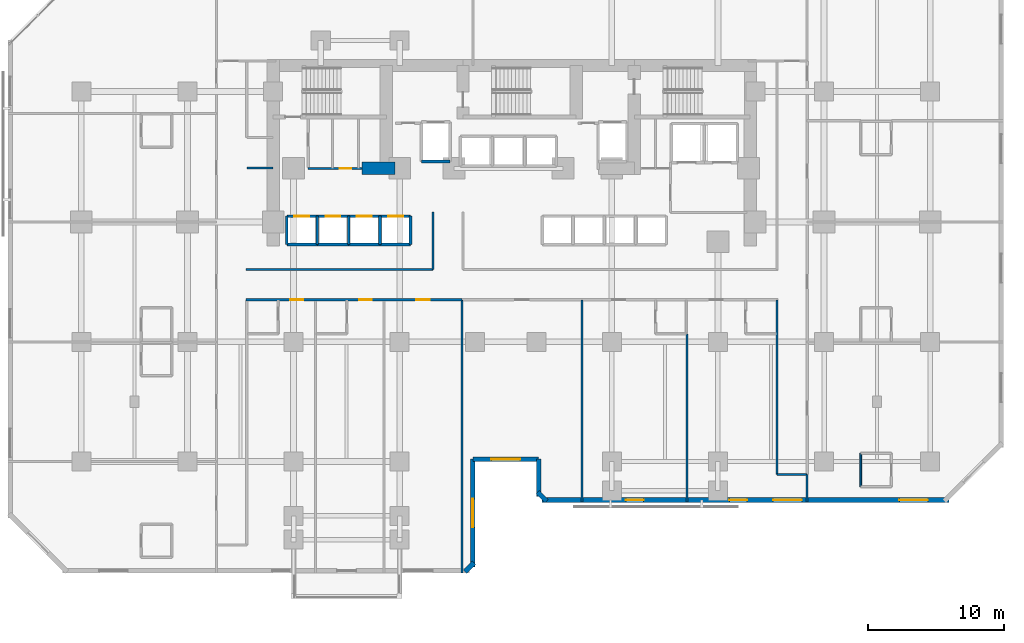
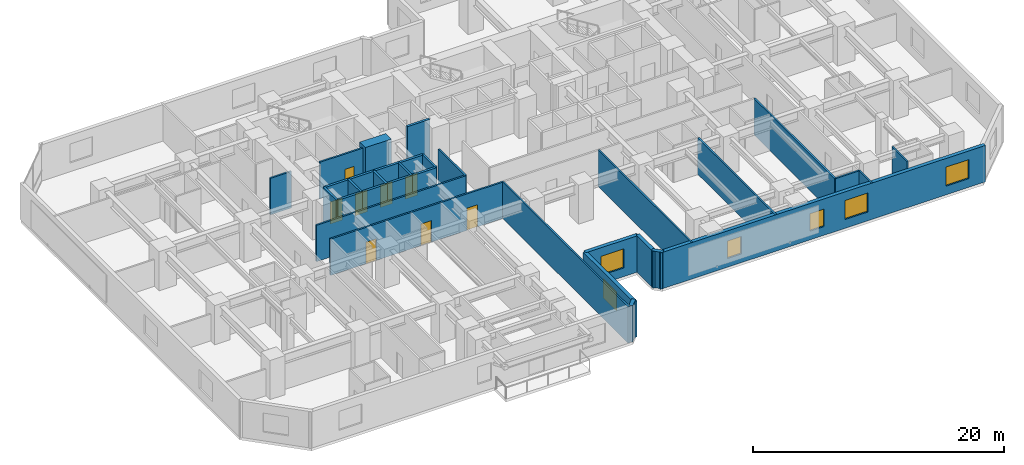
# One storey, part 6 of 12: 33 walls, 8 doors, 6 windows, 14 openings.
"""IFC4 building model written with IfcOpenShell, lengths in metres."""

from ifc_helpers import new_model, si_unit, direction, frame, frame_2d, origin, place, context, subcontext, project, spatial, rectangle, extrude, material, layer, layer_set, type_object, element, fill, save


model = new_model("IFC4")

# Units and contexts
model_context = context("Model", 3, precision=1e-05, world=origin(), true_north=direction((0.0, 1.0)))
body_context = subcontext(model_context, "Body", "Model", "MODEL_VIEW")
ifc_project = project(units=[si_unit("LENGTHUNIT", "METRE"), si_unit("AREAUNIT", "SQUARE_METRE"), si_unit("VOLUMEUNIT", "CUBIC_METRE"), si_unit("PLANEANGLEUNIT", "RADIAN"), si_unit("MASSUNIT", "GRAM", prefix="KILO")], contexts=[model_context])

# Site, building, storey
site_placement = place(None, origin())
site = spatial("IfcSite", under=ifc_project, at=site_placement, CompositionType="ELEMENT")
building_placement = place(site_placement, origin())
building = spatial("IfcBuilding", under=site, at=building_placement, Name="Kestravale Grand Hotel", CompositionType="ELEMENT")
storey_placement = place(building_placement, frame((0.0, 0.0, 56.39990234375)))
storey = spatial("IfcBuildingStorey", under=building, at=storey_placement, Name="L13", CompositionType="ELEMENT", Elevation=56.39990234375)

# Walls
ifc_material_1 = material(Name="Concrete f'c 70 MPa", Category="concrete")
ifc_layer_1 = layer(ifc_material_1, 0.89990234375)
ifc_layer_set_1 = layer_set([ifc_layer_1], Name="EW-CORE-900")
wall_type_1 = type_object("IfcWallType", Name="EW-CORE-900", PredefinedType="SHEAR", material=ifc_layer_set_1)
wall_1_placement = place(storey_placement, frame((28.449951171875, 32.75, 0.0), z_axis=(0.0, 0.0, 1.0), x_axis=(1.0, 0.0, 0.0)))
element("IfcWall", 1, at=wall_1_placement, inside=storey, type_object=wall_type_1, Name="L13 core shear wall S1", PredefinedType="SHEAR", context=body_context, shape_type="SweptSolid", body=[
    extrude(rectangle(XDim=2.400146484375, YDim=0.89990234375, at=frame_2d((1.2001953125, 0.0))), origin(), (0.0, 0.0, 1.0), 3.800048828125),
])
ifc_material_2 = material(Name="Precast concrete f'c 45 MPa", Category="concrete")
ifc_layer_2 = layer(ifc_material_2, 0.340087890625)
ifc_layer_set_2 = layer_set([ifc_layer_2], Name="EW-PREC-340")
wall_type_2 = type_object("IfcWallType", Name="EW-PREC-340", PredefinedType="SOLIDWALL", material=ifc_layer_set_2)
wall_2_placement = place(storey_placement, frame((36.00146484375, 3.091796875, 0.0), z_axis=(0.0, 0.0, 1.0), x_axis=(0.707106781187, 0.707106781187, 0.0)))
element("IfcWall", 2, at=wall_2_placement, inside=storey, type_object=wall_type_2, Name="L13 fluted precast facade wall 2", PredefinedType="SOLIDWALL", context=body_context, shape_type="SweptSolid", body=[
    extrude(rectangle(XDim=0.9287109375, YDim=0.340087890625, at=frame_2d((0.46435546875, 0.0))), origin(), (0.0, 0.0, 1.0), 3.5400390625),
])

# Wall, opening, window
wall_3_placement = place(storey_placement, frame((36.580078125, 3.429931640625, 0.0), z_axis=(0.0, 0.0, 1.0), x_axis=(0.0, 1.0, 0.0)))
wall_3 = element("IfcWall", 3, at=wall_3_placement, inside=storey, type_object=wall_type_2, Name="L13 fluted precast facade wall 3", PredefinedType="SOLIDWALL", context=body_context, shape_type="SweptSolid", body=[
    extrude(rectangle(XDim=7.940185546875, YDim=0.340087890625, at=frame_2d((3.97021484375, 0.0))), origin(), (0.0, 0.0, 1.0), 3.5400390625),
])
opening_1_placement = place(wall_3_placement, frame((2.919921875, 0.0, 0.85009765625)))
opening_1 = element("IfcOpeningElement", 4, at=opening_1_placement, cuts=wall_3, Name="Opening W-GUEST-2100", PredefinedType="OPENING", context=body_context, shape_type="SweptSolid", body=[
    extrude(rectangle(XDim=2.10009765625, YDim=1.85009765625, at=frame_2d((1.050048828125, 0.925048828125))), frame((0.0, 0.179931640625, 0.0), z_axis=(0.0, -1.0, 0.0), x_axis=(1.0, 0.0, 0.0)), (0.0, 0.0, 1.0), 0.360107421875),
])
ifc_material_3 = material(Name="Insulated low-E double glazing in aluminium frame", Category="aluminium")
window_type_1 = type_object("IfcWindowType", Name="W-GUEST-2100", PartitioningType="DOUBLE_PANEL_VERTICAL", PredefinedType="WINDOW", material=ifc_material_3)
window_1_placement = place(opening_1_placement, origin())
window_1 = element("IfcWindow", 5, at=window_1_placement, inside=storey, type_object=window_type_1, Name="L13 exterior window 3.1", OverallHeight=1.85009765625, OverallWidth=2.10009765625, PartitioningType="SINGLE_PANEL", PredefinedType="WINDOW", context=body_context, shape_type="SweptSolid", body=[
    extrude(rectangle(XDim=2.10009765625, YDim=1.85009765625, at=frame_2d((1.050048828125, 0.925048828125))), frame((0.0, 0.030029296875, 0.0), z_axis=(0.0, -1.0, 0.0), x_axis=(1.0, 0.0, 0.0)), (0.0, 0.0, 1.0), 0.06005859375),
])
fill(opening_1, window_1)

wall_4_placement = place(storey_placement, frame((36.580078125, 11.3701171875, 0.0), z_axis=(0.0, 0.0, 1.0), x_axis=(1.0, 0.0, 0.0)))
wall_4 = element("IfcWall", 6, at=wall_4_placement, inside=storey, type_object=wall_type_2, Name="L13 fluted precast facade wall 4", PredefinedType="SOLIDWALL", context=body_context, shape_type="SweptSolid", body=[
    extrude(rectangle(XDim=4.83984375, YDim=0.340087890625, at=frame_2d((2.419921875, 0.0))), origin(), (0.0, 0.0, 1.0), 3.5400390625),
])
opening_2_placement = place(wall_4_placement, frame((1.3701171875, 0.0, 0.85009765625)))
opening_2 = element("IfcOpeningElement", 7, at=opening_2_placement, cuts=wall_4, Name="Opening W-GUEST-2100", PredefinedType="OPENING", context=body_context, shape_type="SweptSolid", body=[
    extrude(rectangle(XDim=2.10009765625, YDim=1.85009765625, at=frame_2d((1.050048828125, 0.925048828125))), frame((0.0, 0.179931640625, 0.0), z_axis=(0.0, -1.0, 0.0), x_axis=(1.0, 0.0, 0.0)), (0.0, 0.0, 1.0), 0.360107421875),
])
window_2_placement = place(opening_2_placement, origin())
window_2 = element("IfcWindow", 8, at=window_2_placement, inside=storey, type_object=window_type_1, Name="L13 exterior window 4.1", OverallHeight=1.85009765625, OverallWidth=2.10009765625, PartitioningType="SINGLE_PANEL", PredefinedType="WINDOW", context=body_context, shape_type="SweptSolid", body=[
    extrude(rectangle(XDim=2.10009765625, YDim=1.85009765625, at=frame_2d((1.050048828125, 0.925048828125))), frame((0.0, 0.030029296875, 0.0), z_axis=(0.0, -1.0, 0.0), x_axis=(1.0, 0.0, 0.0)), (0.0, 0.0, 1.0), 0.06005859375),
])
fill(opening_2, window_2)

# Walls
wall_5_placement = place(storey_placement, frame((41.419921875, 11.3701171875, 0.0), z_axis=(0.0, 0.0, 1.0), x_axis=(0.0, -1.0, 0.0)))
element("IfcWall", 9, at=wall_5_placement, inside=storey, type_object=wall_type_2, Name="L13 fluted precast facade wall 5", PredefinedType="SOLIDWALL", context=body_context, shape_type="SweptSolid", body=[
    extrude(rectangle(XDim=2.740234375, YDim=0.340087890625, at=frame_2d((1.3701171875, 0.0))), origin(), (0.0, 0.0, 1.0), 3.5400390625),
])
wall_6_placement = place(storey_placement, frame((41.341796875, 8.948486328125, 0.0), z_axis=(0.0, 0.0, 1.0), x_axis=(0.707238225886, -0.706975312048, 0.0)))
element("IfcWall", 10, at=wall_6_placement, inside=storey, type_object=wall_type_2, Name="L13 fluted precast facade wall 6", PredefinedType="SOLIDWALL", context=body_context, shape_type="SweptSolid", body=[
    extrude(rectangle(XDim=0.9287109375, YDim=0.340087890625, at=frame_2d((0.46435546875, 0.0))), origin(), (0.0, 0.0, 1.0), 3.5400390625),
])

# Wall, openings, windows
wall_7_placement = place(storey_placement, frame((41.679931640625, 8.3701171875, 0.0), z_axis=(0.0, 0.0, 1.0), x_axis=(1.0, 0.0, 0.0)))
wall_7 = element("IfcWall", 11, at=wall_7_placement, inside=storey, type_object=wall_type_2, Name="L13 fluted precast facade wall 7", PredefinedType="SOLIDWALL", context=body_context, shape_type="SweptSolid", body=[
    extrude(rectangle(XDim=29.89013671875, YDim=0.340087890625, at=frame_2d((14.945068359375, 0.0))), origin(), (0.0, 0.0, 1.0), 3.5400390625),
])
opening_3_placement = place(wall_7_placement, frame((16.981201171875, 0.0, 0.85009765625)))
opening_3 = element("IfcOpeningElement", 12, at=opening_3_placement, cuts=wall_7, Name="Opening W-GUEST-2100", PredefinedType="OPENING", context=body_context, shape_type="SweptSolid", body=[
    extrude(rectangle(XDim=2.10009765625, YDim=1.85009765625, at=frame_2d((1.050048828125, 0.925048828125))), frame((0.0, 0.179931640625, 0.0), z_axis=(0.0, -1.0, 0.0), x_axis=(1.0, 0.0, 0.0)), (0.0, 0.0, 1.0), 0.360107421875),
])
opening_4_placement = place(wall_7_placement, frame((26.253662109375, 0.0, 0.85009765625)))
opening_4 = element("IfcOpeningElement", 13, at=opening_4_placement, cuts=wall_7, Name="Opening W-GUEST-2100", PredefinedType="OPENING", context=body_context, shape_type="SweptSolid", body=[
    extrude(rectangle(XDim=2.10009765625, YDim=1.85009765625, at=frame_2d((1.050048828125, 0.925048828125))), frame((0.0, 0.179931640625, 0.0), z_axis=(0.0, -1.0, 0.0), x_axis=(1.0, 0.0, 0.0)), (0.0, 0.0, 1.0), 0.360107421875),
])
opening_5_placement = place(wall_7_placement, frame((6.14990234375, 0.0, 0.85009765625)))
opening_5 = element("IfcOpeningElement", 14, at=opening_5_placement, cuts=wall_7, Name="Opening W-GUEST-1300", PredefinedType="OPENING", context=body_context, shape_type="SweptSolid", body=[
    extrude(rectangle(XDim=1.300048828125, YDim=1.699951171875, at=frame_2d((0.64990234375, 0.85009765625))), frame((0.0, 0.179931640625, 0.0), z_axis=(0.0, -1.0, 0.0), x_axis=(1.0, 0.0, 0.0)), (0.0, 0.0, 1.0), 0.360107421875),
])
opening_6_placement = place(wall_7_placement, frame((13.76318359375, 0.0, 0.85009765625)))
opening_6 = element("IfcOpeningElement", 15, at=opening_6_placement, cuts=wall_7, Name="Opening W-GUEST-1300", PredefinedType="OPENING", context=body_context, shape_type="SweptSolid", body=[
    extrude(rectangle(XDim=1.300048828125, YDim=1.699951171875, at=frame_2d((0.64990234375, 0.85009765625))), frame((0.0, 0.179931640625, 0.0), z_axis=(0.0, -1.0, 0.0), x_axis=(1.0, 0.0, 0.0)), (0.0, 0.0, 1.0), 0.360107421875),
])
ifc_material_4 = material(Name="Insulated low-E double glazing in aluminium frame", Category="aluminium")
window_type_2 = type_object("IfcWindowType", Name="W-GUEST-1300", PartitioningType="SINGLE_PANEL", PredefinedType="WINDOW", material=ifc_material_4)
window_3_placement = place(opening_5_placement, origin())
window_3 = element("IfcWindow", 16, at=window_3_placement, inside=storey, type_object=window_type_2, Name="L13 guestroom envelope window 2", OverallHeight=1.699951171875, OverallWidth=1.300048828125, PartitioningType="SINGLE_PANEL", PredefinedType="WINDOW", context=body_context, shape_type="SweptSolid", body=[
    extrude(rectangle(XDim=1.300048828125, YDim=1.699951171875, at=frame_2d((0.64990234375, 0.85009765625))), frame((0.0, 0.030029296875, 0.0), z_axis=(0.0, -1.0, 0.0), x_axis=(1.0, 0.0, 0.0)), (0.0, 0.0, 1.0), 0.06005859375),
])
fill(opening_5, window_3)
window_4_placement = place(opening_6_placement, origin())
window_4 = element("IfcWindow", 17, at=window_4_placement, inside=storey, type_object=window_type_2, Name="L13 guestroom envelope window 3", OverallHeight=1.699951171875, OverallWidth=1.300048828125, PartitioningType="SINGLE_PANEL", PredefinedType="WINDOW", context=body_context, shape_type="SweptSolid", body=[
    extrude(rectangle(XDim=1.300048828125, YDim=1.699951171875, at=frame_2d((0.64990234375, 0.85009765625))), frame((0.0, 0.030029296875, 0.0), z_axis=(0.0, -1.0, 0.0), x_axis=(1.0, 0.0, 0.0)), (0.0, 0.0, 1.0), 0.06005859375),
])
fill(opening_6, window_4)
window_5_placement = place(opening_3_placement, origin())
window_5 = element("IfcWindow", 18, at=window_5_placement, inside=storey, type_object=window_type_1, Name="L13 exterior window 7.1", OverallHeight=1.85009765625, OverallWidth=2.10009765625, PartitioningType="SINGLE_PANEL", PredefinedType="WINDOW", context=body_context, shape_type="SweptSolid", body=[
    extrude(rectangle(XDim=2.10009765625, YDim=1.85009765625, at=frame_2d((1.050048828125, 0.925048828125))), frame((0.0, 0.030029296875, 0.0), z_axis=(0.0, -1.0, 0.0), x_axis=(1.0, 0.0, 0.0)), (0.0, 0.0, 1.0), 0.06005859375),
])
fill(opening_3, window_5)
window_6_placement = place(opening_4_placement, origin())
window_6 = element("IfcWindow", 19, at=window_6_placement, inside=storey, type_object=window_type_1, Name="L13 exterior window 7.2", OverallHeight=1.85009765625, OverallWidth=2.10009765625, PartitioningType="SINGLE_PANEL", PredefinedType="WINDOW", context=body_context, shape_type="SweptSolid", body=[
    extrude(rectangle(XDim=2.10009765625, YDim=1.85009765625, at=frame_2d((1.050048828125, 0.925048828125))), frame((0.0, 0.030029296875, 0.0), z_axis=(0.0, -1.0, 0.0), x_axis=(1.0, 0.0, 0.0)), (0.0, 0.0, 1.0), 0.06005859375),
])
fill(opening_4, window_6)

# Wall, opening, door
ifc_material_5 = material(Name="Acoustic fire-rated gypsum board partition", Category="other")
ifc_layer_3 = layer(ifc_material_5, 0.159912109375)
ifc_layer_set_3 = layer_set([ifc_layer_3], Name="IW-CORR-160")
wall_type_3 = type_object("IfcWallType", Name="IW-CORR-160", PredefinedType="PARTITIONING", material=ifc_layer_set_3)
wall_8_placement = place(storey_placement, frame((24.47998046875, 32.75, 0.0), z_axis=(0.0, 0.0, 1.0), x_axis=(1.0, 0.0, 0.0)))
wall_8 = element("IfcWall", 20, at=wall_8_placement, inside=storey, type_object=wall_type_3, Name="W-L13-CWS", PredefinedType="PARTITIONING", context=body_context, shape_type="SweptSolid", body=[
    extrude(rectangle(XDim=3.969970703125, YDim=0.159912109375, at=frame_2d((1.98486328125, 0.0))), origin(), (0.0, 0.0, 1.0), 3.5400390625),
])
opening_7_placement = place(wall_8_placement, frame((2.31005859375, 0.0, 0.0)))
opening_7 = element("IfcOpeningElement", 21, at=opening_7_placement, cuts=wall_8, Name="Opening D-SH-860", PredefinedType="OPENING", context=body_context, shape_type="SweptSolid", body=[
    extrude(rectangle(XDim=0.860107421875, YDim=2.050048828125, at=frame_2d((0.43017578125, 1.02490234375))), frame((0.0, 0.08984375, 0.0), z_axis=(0.0, -1.0, 0.0), x_axis=(1.0, 0.0, 0.0)), (0.0, 0.0, 1.0), 0.179931640625),
])
ifc_material_6 = material(Name="Galvanised 90-minute riser fire door", Category="steel")
door_type_1 = type_object("IfcDoorType", Name="D-SH-860", OperationType="NOTDEFINED", PredefinedType="DOOR", material=ifc_material_6)
door_1_placement = place(opening_7_placement, origin())
door_1 = element("IfcDoor", 22, at=door_1_placement, inside=storey, type_object=door_type_1, Name="D-L13-IDF", OperationType="SINGLE_SWING_RIGHT", OverallHeight=2.050048828125, OverallWidth=0.860107421875, PredefinedType="DOOR", context=body_context, shape_type="SweptSolid", body=[
    extrude(rectangle(XDim=0.860107421875, YDim=2.050048828125, at=frame_2d((0.43017578125, 1.02490234375))), frame((0.0, 0.02490234375, 0.0), z_axis=(0.0, -1.0, 0.0), x_axis=(1.0, 0.0, 0.0)), (0.0, 0.0, 1.0), 0.050048828125),
])
fill(opening_7, door_1)

# Walls
wall_9_placement = place(storey_placement, frame((19.89990234375, 25.31005859375, 0.0), z_axis=(0.0, 0.0, 1.0), x_axis=(1.0, 0.0, 0.0)))
element("IfcWall", 23, at=wall_9_placement, inside=storey, type_object=wall_type_3, Name="W-L13-CW-N", PredefinedType="PARTITIONING", context=body_context, shape_type="SweptSolid", body=[
    extrude(rectangle(XDim=13.75, YDim=0.159912109375, at=frame_2d((6.875, 0.0))), origin(), (0.0, 0.0, 1.0), 3.5400390625),
])
wall_10_placement = place(storey_placement, frame((33.64990234375, 25.31005859375, 0.0), z_axis=(0.0, 0.0, 1.0), x_axis=(0.0, 1.0, 0.0)))
element("IfcWall", 24, at=wall_10_placement, inside=storey, type_object=wall_type_3, Name="W-L13-TRUNK-W", PredefinedType="PARTITIONING", context=body_context, shape_type="SweptSolid", body=[
    extrude(rectangle(XDim=4.239990234375, YDim=0.159912109375, at=frame_2d((2.1201171875, 0.0))), origin(), (0.0, 0.0, 1.0), 3.5400390625),
])

# Wall, openings, doors
wall_11_placement = place(storey_placement, frame((19.89990234375, 23.090087890625, 0.0), z_axis=(0.0, 0.0, 1.0), x_axis=(1.0, 0.0, 0.0)))
wall_11 = element("IfcWall", 25, at=wall_11_placement, inside=storey, type_object=wall_type_3, Name="W-L13-CW-S", PredefinedType="PARTITIONING", context=body_context, shape_type="SweptSolid", body=[
    extrude(rectangle(XDim=15.900146484375, YDim=0.159912109375, at=frame_2d((7.9501953125, 0.0))), origin(), (0.0, 0.0, 1.0), 3.5400390625),
])
opening_8_placement = place(wall_11_placement, frame((3.264892578125, 0.0, 0.0)))
opening_8 = element("IfcOpeningElement", 26, at=opening_8_placement, cuts=wall_11, Name="Opening D-GUEST-950", PredefinedType="OPENING", context=body_context, shape_type="SweptSolid", body=[
    extrude(rectangle(XDim=0.949951171875, YDim=2.10009765625, at=frame_2d((0.47509765625, 1.050048828125))), frame((0.0, 0.08984375, 0.0), z_axis=(0.0, -1.0, 0.0), x_axis=(1.0, 0.0, 0.0)), (0.0, 0.0, 1.0), 0.179931640625),
])
opening_9_placement = place(wall_11_placement, frame((8.31494140625, 0.0, 0.0)))
opening_9 = element("IfcOpeningElement", 27, at=opening_9_placement, cuts=wall_11, Name="Opening D-GUEST-950", PredefinedType="OPENING", context=body_context, shape_type="SweptSolid", body=[
    extrude(rectangle(XDim=0.949951171875, YDim=2.10009765625, at=frame_2d((0.47509765625, 1.050048828125))), frame((0.0, 0.08984375, 0.0), z_axis=(0.0, -1.0, 0.0), x_axis=(1.0, 0.0, 0.0)), (0.0, 0.0, 1.0), 0.179931640625),
])
opening_10_placement = place(wall_11_placement, frame((12.530029296875, 0.0, 0.0)))
opening_10 = element("IfcOpeningElement", 28, at=opening_10_placement, cuts=wall_11, Name="Opening D-GUEST-1000", PredefinedType="OPENING", context=body_context, shape_type="SweptSolid", body=[
    extrude(rectangle(XDim=1.0, YDim=2.14990234375, at=frame_2d((0.5, 1.074951171875))), frame((0.0, 0.08984375, 0.0), z_axis=(0.0, -1.0, 0.0), x_axis=(1.0, 0.0, 0.0)), (0.0, 0.0, 1.0), 0.179931640625),
])
ifc_material_7 = material(Name="Accessible walnut veneer hotel entrance fire door", Category="wood")
door_type_2 = type_object("IfcDoorType", Name="D-GUEST-1000", OperationType="NOTDEFINED", PredefinedType="DOOR", material=ifc_material_7)
door_2_placement = place(opening_10_placement, origin())
door_2 = element("IfcDoor", 29, at=door_2_placement, inside=storey, type_object=door_type_2, Name="D-L13-AMW", OperationType="SINGLE_SWING_LEFT", OverallHeight=2.14990234375, OverallWidth=1.0, PredefinedType="DOOR", context=body_context, shape_type="SweptSolid", body=[
    extrude(rectangle(XDim=1.0, YDim=2.14990234375, at=frame_2d((0.5, 1.074951171875))), frame((0.0, 0.02490234375, 0.0), z_axis=(0.0, -1.0, 0.0), x_axis=(1.0, 0.0, 0.0)), (0.0, 0.0, 1.0), 0.050048828125),
])
fill(opening_10, door_2)
ifc_material_8 = material(Name="Walnut veneer hotel guestroom entrance fire door", Category="wood")
door_type_3 = type_object("IfcDoorType", Name="D-GUEST-950", OperationType="NOTDEFINED", PredefinedType="DOOR", material=ifc_material_8)
door_3_placement = place(opening_8_placement, origin())
door_3 = element("IfcDoor", 30, at=door_3_placement, inside=storey, type_object=door_type_3, Name="D-L13-U01-ENT", OperationType="SINGLE_SWING_RIGHT", OverallHeight=2.10009765625, OverallWidth=0.949951171875, PredefinedType="DOOR", context=body_context, shape_type="SweptSolid", body=[
    extrude(rectangle(XDim=0.949951171875, YDim=2.10009765625, at=frame_2d((0.47509765625, 1.050048828125))), frame((0.0, 0.02490234375, 0.0), z_axis=(0.0, -1.0, 0.0), x_axis=(1.0, 0.0, 0.0)), (0.0, 0.0, 1.0), 0.050048828125),
])
fill(opening_8, door_3)
door_4_placement = place(opening_9_placement, origin())
door_4 = element("IfcDoor", 31, at=door_4_placement, inside=storey, type_object=door_type_3, Name="D-L13-U02-ENT", OperationType="SINGLE_SWING_RIGHT", OverallHeight=2.10009765625, OverallWidth=0.949951171875, PredefinedType="DOOR", context=body_context, shape_type="SweptSolid", body=[
    extrude(rectangle(XDim=0.949951171875, YDim=2.10009765625, at=frame_2d((0.47509765625, 1.050048828125))), frame((0.0, 0.02490234375, 0.0), z_axis=(0.0, -1.0, 0.0), x_axis=(1.0, 0.0, 0.0)), (0.0, 0.0, 1.0), 0.050048828125),
])
fill(opening_9, door_4)

# Walls
wall_12_placement = place(storey_placement, frame((19.9599609375, 32.780029296875, 0.0), z_axis=(0.0, 0.0, 1.0), x_axis=(1.0, 0.0, 0.0)))
element("IfcWall", 32, at=wall_12_placement, inside=storey, type_object=wall_type_3, Name="W-L13-SW-CS", PredefinedType="PARTITIONING", context=body_context, shape_type="SweptSolid", body=[
    extrude(rectangle(XDim=1.93994140625, YDim=0.159912109375, at=frame_2d((0.969970703125, 0.0))), origin(), (0.0, 0.0, 1.0), 3.5400390625),
])
wall_13_placement = place(storey_placement, frame((58.93994140625, 10.25, 0.0), z_axis=(0.0, 0.0, 1.0), x_axis=(0.0, 1.0, 0.0)))
element("IfcWall", 33, at=wall_13_placement, inside=storey, type_object=wall_type_3, Name="W-L13-SE-W", PredefinedType="PARTITIONING", context=body_context, shape_type="SweptSolid", body=[
    extrude(rectangle(XDim=12.840087890625, YDim=0.159912109375, at=frame_2d((6.419921875, 0.0))), origin(), (0.0, 0.0, 1.0), 3.5400390625),
])
ifc_material_9 = material(Name="Moisture-resistant tile-backer plumbing chase wall", Category="other")
ifc_layer_4 = layer(ifc_material_9, 0.139892578125)
ifc_layer_set_4 = layer_set([ifc_layer_4], Name="IW-PLB-140")
wall_type_4 = type_object("IfcWallType", Name="IW-PLB-140", PredefinedType="PLUMBINGWALL", material=ifc_layer_set_4)
wall_14_placement = place(storey_placement, frame((65.10009765625, 9.35009765625, 0.0), z_axis=(0.0, 0.0, 1.0), x_axis=(0.0, 1.0, 0.0)))
element("IfcWall", 34, at=wall_14_placement, inside=storey, type_object=wall_type_4, Name="W-L13-U09-BW", PredefinedType="PLUMBINGWALL", context=body_context, shape_type="SweptSolid", body=[
    extrude(rectangle(XDim=2.449951171875, YDim=0.139892578125, at=frame_2d((1.22509765625, 0.0))), origin(), (0.0, 0.0, 1.0), 3.5400390625),
])
ifc_material_10 = material(Name="Concrete f'c 45 MPa", Category="concrete")
ifc_layer_5 = layer(ifc_material_10, 0.199951171875)
ifc_layer_set_5 = layer_set([ifc_layer_5], Name="IW-SHAFT-200")
wall_type_5 = type_object("IfcWallType", Name="IW-SHAFT-200", PredefinedType="SHEAR", material=ifc_layer_set_5)
for number, where, z_axis, x_axis, name in (
    (35, (22.905029296875, 27.169921875, 0.0), (0.0, 0.0, 1.0), (0.0, 1.0, 0.0), "L13 PL-L1 west shaft wall"),
    (36, (25.14990234375, 27.169921875, 0.0), (0.0, 0.0, 1.0), (0.0, 1.0, 0.0), "L13 PL-L2 west shaft wall"),
    (37, (27.449951171875, 27.169921875, 0.0), (0.0, 0.0, 1.0), (0.0, 1.0, 0.0), "L13 PL-L3 west shaft wall"),
    (38, (29.75, 27.169921875, 0.0), (0.0, 0.0, 1.0), (0.0, 1.0, 0.0), "L13 PL-L4 west shaft wall"),
    (39, (31.9951171875, 27.169921875, 0.0), (0.0, 0.0, 1.0), (0.0, 1.0, 0.0), "L13 PL-L4 east shaft wall"),
):
    element("IfcWall", number, at=place(storey_placement, frame(where, z_axis=z_axis, x_axis=x_axis)), inside=storey, type_object=wall_type_5, Name=name, PredefinedType="SHEAR", context=body_context, shape_type="SweptSolid", body=[
        extrude(rectangle(XDim=2.06005859375, YDim=0.199951171875, at=frame_2d((1.030029296875, 0.0))), origin(), (0.0, 0.0, 1.0), 3.800048828125),
    ])

# Wall, opening, door
ifc_material_11 = material(Name="Concrete f'c 45 MPa", Category="concrete")
ifc_layer_6 = layer(ifc_material_11, 0.219970703125)
ifc_layer_set_6 = layer_set([ifc_layer_6], Name="IW-SHAFT-220")
wall_type_6 = type_object("IfcWallType", Name="IW-SHAFT-220", PredefinedType="SHEAR", material=ifc_layer_set_6)
wall_15_placement = place(storey_placement, frame((22.905029296875, 29.22998046875, 0.0), z_axis=(0.0, 0.0, 1.0), x_axis=(1.0, 0.0, 0.0)))
wall_15 = element("IfcWall", 40, at=wall_15_placement, inside=storey, type_object=wall_type_6, Name="L13 PL-L1 north shaft wall", PredefinedType="SHEAR", context=body_context, shape_type="SweptSolid", body=[
    extrude(rectangle(XDim=2.244873046875, YDim=0.219970703125, at=frame_2d((1.12255859375, 0.0))), origin(), (0.0, 0.0, 1.0), 3.800048828125),
])
opening_11_placement = place(wall_15_placement, frame((0.544921875, 0.0, 0.0)))
opening_11 = element("IfcOpeningElement", 41, at=opening_11_placement, cuts=wall_15, Name="Opening LD-PAX-1100", PredefinedType="OPENING", context=body_context, shape_type="SweptSolid", body=[
    extrude(rectangle(XDim=1.10009765625, YDim=2.14990234375, at=frame_2d((0.550048828125, 1.074951171875))), frame((0.0, 0.119873046875, 0.0), z_axis=(0.0, -1.0, 0.0), x_axis=(1.0, 0.0, 0.0)), (0.0, 0.0, 1.0), 0.239990234375),
])
ifc_material_12 = material(Name="Champagne-bronze center-opening sliding elevator landing door", Category="steel")
door_type_4 = type_object("IfcDoorType", Name="LD-PAX-1100", OperationType="NOTDEFINED", PredefinedType="DOOR", material=ifc_material_12)
door_5_placement = place(opening_11_placement, origin())
door_5 = element("IfcDoor", 42, at=door_5_placement, inside=storey, type_object=door_type_4, Name="L13 PL-L1 elevator landing sliding door", OperationType="DOUBLE_DOOR_SLIDING", OverallHeight=2.14990234375, OverallWidth=1.10009765625, PredefinedType="DOOR", context=body_context, shape_type="SweptSolid", body=[
    extrude(rectangle(XDim=1.10009765625, YDim=2.14990234375, at=frame_2d((0.550048828125, 1.074951171875))), frame((0.0, 0.02490234375, 0.0), z_axis=(0.0, -1.0, 0.0), x_axis=(1.0, 0.0, 0.0)), (0.0, 0.0, 1.0), 0.050048828125),
])
fill(opening_11, door_5)

# Wall
wall_16_placement = place(storey_placement, frame((22.905029296875, 27.169921875, 0.0), z_axis=(0.0, 0.0, 1.0), x_axis=(1.0, 0.0, 0.0)))
element("IfcWall", 43, at=wall_16_placement, inside=storey, type_object=wall_type_6, Name="L13 PL-L1 south shaft wall", PredefinedType="SHEAR", context=body_context, shape_type="SweptSolid", body=[
    extrude(rectangle(XDim=2.244873046875, YDim=0.219970703125, at=frame_2d((1.12255859375, 0.0))), origin(), (0.0, 0.0, 1.0), 3.800048828125),
])

# Wall, opening, door
wall_17_placement = place(storey_placement, frame((25.14990234375, 29.22998046875, 0.0), z_axis=(0.0, 0.0, 1.0), x_axis=(1.0, 0.0, 0.0)))
wall_17 = element("IfcWall", 44, at=wall_17_placement, inside=storey, type_object=wall_type_6, Name="L13 PL-L2 north shaft wall", PredefinedType="SHEAR", context=body_context, shape_type="SweptSolid", body=[
    extrude(rectangle(XDim=2.300048828125, YDim=0.219970703125, at=frame_2d((1.14990234375, 0.0))), origin(), (0.0, 0.0, 1.0), 3.800048828125),
])
opening_12_placement = place(wall_17_placement, frame((0.60009765625, 0.0, 0.0)))
opening_12 = element("IfcOpeningElement", 45, at=opening_12_placement, cuts=wall_17, Name="Opening LD-PAX-1100", PredefinedType="OPENING", context=body_context, shape_type="SweptSolid", body=[
    extrude(rectangle(XDim=1.10009765625, YDim=2.14990234375, at=frame_2d((0.550048828125, 1.074951171875))), frame((0.0, 0.119873046875, 0.0), z_axis=(0.0, -1.0, 0.0), x_axis=(1.0, 0.0, 0.0)), (0.0, 0.0, 1.0), 0.239990234375),
])
door_6_placement = place(opening_12_placement, origin())
door_6 = element("IfcDoor", 46, at=door_6_placement, inside=storey, type_object=door_type_4, Name="L13 PL-L2 elevator landing sliding door", OperationType="DOUBLE_DOOR_SLIDING", OverallHeight=2.14990234375, OverallWidth=1.10009765625, PredefinedType="DOOR", context=body_context, shape_type="SweptSolid", body=[
    extrude(rectangle(XDim=1.10009765625, YDim=2.14990234375, at=frame_2d((0.550048828125, 1.074951171875))), frame((0.0, 0.02490234375, 0.0), z_axis=(0.0, -1.0, 0.0), x_axis=(1.0, 0.0, 0.0)), (0.0, 0.0, 1.0), 0.050048828125),
])
fill(opening_12, door_6)

# Wall
wall_18_placement = place(storey_placement, frame((25.14990234375, 27.169921875, 0.0), z_axis=(0.0, 0.0, 1.0), x_axis=(1.0, 0.0, 0.0)))
element("IfcWall", 47, at=wall_18_placement, inside=storey, type_object=wall_type_6, Name="L13 PL-L2 south shaft wall", PredefinedType="SHEAR", context=body_context, shape_type="SweptSolid", body=[
    extrude(rectangle(XDim=2.300048828125, YDim=0.219970703125, at=frame_2d((1.14990234375, 0.0))), origin(), (0.0, 0.0, 1.0), 3.800048828125),
])

# Wall, opening, door
wall_19_placement = place(storey_placement, frame((27.449951171875, 29.22998046875, 0.0), z_axis=(0.0, 0.0, 1.0), x_axis=(1.0, 0.0, 0.0)))
wall_19 = element("IfcWall", 48, at=wall_19_placement, inside=storey, type_object=wall_type_6, Name="L13 PL-L3 north shaft wall", PredefinedType="SHEAR", context=body_context, shape_type="SweptSolid", body=[
    extrude(rectangle(XDim=2.300048828125, YDim=0.219970703125, at=frame_2d((1.14990234375, 0.0))), origin(), (0.0, 0.0, 1.0), 3.800048828125),
])
opening_13_placement = place(wall_19_placement, frame((0.60009765625, 0.0, 0.0)))
opening_13 = element("IfcOpeningElement", 49, at=opening_13_placement, cuts=wall_19, Name="Opening LD-PAX-1100", PredefinedType="OPENING", context=body_context, shape_type="SweptSolid", body=[
    extrude(rectangle(XDim=1.10009765625, YDim=2.14990234375, at=frame_2d((0.550048828125, 1.074951171875))), frame((0.0, 0.119873046875, 0.0), z_axis=(0.0, -1.0, 0.0), x_axis=(1.0, 0.0, 0.0)), (0.0, 0.0, 1.0), 0.239990234375),
])
door_7_placement = place(opening_13_placement, origin())
door_7 = element("IfcDoor", 50, at=door_7_placement, inside=storey, type_object=door_type_4, Name="L13 PL-L3 elevator landing sliding door", OperationType="DOUBLE_DOOR_SLIDING", OverallHeight=2.14990234375, OverallWidth=1.10009765625, PredefinedType="DOOR", context=body_context, shape_type="SweptSolid", body=[
    extrude(rectangle(XDim=1.10009765625, YDim=2.14990234375, at=frame_2d((0.550048828125, 1.074951171875))), frame((0.0, 0.02490234375, 0.0), z_axis=(0.0, -1.0, 0.0), x_axis=(1.0, 0.0, 0.0)), (0.0, 0.0, 1.0), 0.050048828125),
])
fill(opening_13, door_7)

# Wall
wall_20_placement = place(storey_placement, frame((27.449951171875, 27.169921875, 0.0), z_axis=(0.0, 0.0, 1.0), x_axis=(1.0, 0.0, 0.0)))
element("IfcWall", 51, at=wall_20_placement, inside=storey, type_object=wall_type_6, Name="L13 PL-L3 south shaft wall", PredefinedType="SHEAR", context=body_context, shape_type="SweptSolid", body=[
    extrude(rectangle(XDim=2.300048828125, YDim=0.219970703125, at=frame_2d((1.14990234375, 0.0))), origin(), (0.0, 0.0, 1.0), 3.800048828125),
])

# Wall, opening, door
wall_21_placement = place(storey_placement, frame((29.75, 29.22998046875, 0.0), z_axis=(0.0, 0.0, 1.0), x_axis=(1.0, 0.0, 0.0)))
wall_21 = element("IfcWall", 52, at=wall_21_placement, inside=storey, type_object=wall_type_6, Name="L13 PL-L4 north shaft wall", PredefinedType="SHEAR", context=body_context, shape_type="SweptSolid", body=[
    extrude(rectangle(XDim=2.2451171875, YDim=0.219970703125, at=frame_2d((1.12255859375, 0.0))), origin(), (0.0, 0.0, 1.0), 3.800048828125),
])
opening_14_placement = place(wall_21_placement, frame((0.60009765625, 0.0, 0.0)))
opening_14 = element("IfcOpeningElement", 53, at=opening_14_placement, cuts=wall_21, Name="Opening LD-PAX-1100", PredefinedType="OPENING", context=body_context, shape_type="SweptSolid", body=[
    extrude(rectangle(XDim=1.10009765625, YDim=2.14990234375, at=frame_2d((0.550048828125, 1.074951171875))), frame((0.0, 0.119873046875, 0.0), z_axis=(0.0, -1.0, 0.0), x_axis=(1.0, 0.0, 0.0)), (0.0, 0.0, 1.0), 0.239990234375),
])
door_8_placement = place(opening_14_placement, origin())
door_8 = element("IfcDoor", 54, at=door_8_placement, inside=storey, type_object=door_type_4, Name="L13 PL-L4 elevator landing sliding door", OperationType="DOUBLE_DOOR_SLIDING", OverallHeight=2.14990234375, OverallWidth=1.10009765625, PredefinedType="DOOR", context=body_context, shape_type="SweptSolid", body=[
    extrude(rectangle(XDim=1.10009765625, YDim=2.14990234375, at=frame_2d((0.550048828125, 1.074951171875))), frame((0.0, 0.02490234375, 0.0), z_axis=(0.0, -1.0, 0.0), x_axis=(1.0, 0.0, 0.0)), (0.0, 0.0, 1.0), 0.050048828125),
])
fill(opening_14, door_8)

# Walls
wall_22_placement = place(storey_placement, frame((29.75, 27.169921875, 0.0), z_axis=(0.0, 0.0, 1.0), x_axis=(1.0, 0.0, 0.0)))
element("IfcWall", 55, at=wall_22_placement, inside=storey, type_object=wall_type_6, Name="L13 PL-L4 south shaft wall", PredefinedType="SHEAR", context=body_context, shape_type="SweptSolid", body=[
    extrude(rectangle(XDim=2.2451171875, YDim=0.219970703125, at=frame_2d((1.12255859375, 0.0))), origin(), (0.0, 0.0, 1.0), 3.800048828125),
])
wall_23_placement = place(storey_placement, frame((32.804931640625, 33.2451171875, 0.0), z_axis=(0.0, 0.0, 1.0), x_axis=(1.0, 0.0, 0.0)))
element("IfcWall", 56, at=wall_23_placement, inside=storey, type_object=wall_type_6, Name="L13 FL-1 south shaft wall", PredefinedType="SHEAR", context=body_context, shape_type="SweptSolid", body=[
    extrude(rectangle(XDim=2.090087890625, YDim=0.219970703125, at=frame_2d((1.044921875, 0.0))), origin(), (0.0, 0.0, 1.0), 3.800048828125),
])
ifc_material_13 = material(Name="Double-stud STC 52 acoustic demising partition", Category="other")
ifc_layer_7 = layer(ifc_material_13, 0.14990234375)
ifc_layer_set_7 = layer_set([ifc_layer_7], Name="IW-UNIT-150")
wall_type_7 = type_object("IfcWallType", Name="IW-UNIT-150", PredefinedType="PARTITIONING", material=ifc_layer_set_7)
wall_24_placement = place(storey_placement, frame((58.93994140625, 10.25, 0.0), z_axis=(0.0, 0.0, 1.0), x_axis=(1.0, 0.0, 0.0)))
element("IfcWall", 57, at=wall_24_placement, inside=storey, type_object=wall_type_7, Name="W-L13-SE-S", PredefinedType="PARTITIONING", context=body_context, shape_type="SweptSolid", body=[
    extrude(rectangle(XDim=2.219970703125, YDim=0.14990234375, at=frame_2d((1.10986328125, 0.0))), origin(), (0.0, 0.0, 1.0), 3.5400390625),
])
wall_25_placement = place(storey_placement, frame((35.800048828125, 3.02001953125, 0.0), z_axis=(0.0, 0.0, 1.0), x_axis=(0.0, 1.0, 0.0)))
element("IfcWall", 58, at=wall_25_placement, inside=storey, type_object=wall_type_7, Name="W-L13-MID-S", PredefinedType="PARTITIONING", context=body_context, shape_type="SweptSolid", body=[
    extrude(rectangle(XDim=20.050048828125, YDim=0.14990234375, at=frame_2d((10.02490234375, 0.0))), origin(), (0.0, 0.0, 1.0), 3.5400390625),
])
wall_26_placement = place(storey_placement, frame((44.61328125, 8.219970703125, 0.0), z_axis=(0.0, 0.0, 1.0), x_axis=(0.0, 1.0, 0.0)))
element("IfcWall", 59, at=wall_26_placement, inside=storey, type_object=wall_type_7, Name="W-L13-ES-1", PredefinedType="PARTITIONING", context=body_context, shape_type="SweptSolid", body=[
    extrude(rectangle(XDim=14.8701171875, YDim=0.14990234375, at=frame_2d((7.43505859375, 0.0))), origin(), (0.0, 0.0, 1.0), 3.5400390625),
])
wall_27_placement = place(storey_placement, frame((52.32666015625, 8.219970703125, 0.0), z_axis=(0.0, 0.0, 1.0), x_axis=(0.0, 1.0, 0.0)))
element("IfcWall", 60, at=wall_27_placement, inside=storey, type_object=wall_type_7, Name="W-L13-ES-2", PredefinedType="PARTITIONING", context=body_context, shape_type="SweptSolid", body=[
    extrude(rectangle(XDim=12.360107421875, YDim=0.14990234375, at=frame_2d((6.18017578125, 0.0))), origin(), (0.0, 0.0, 1.0), 3.5400390625),
])
wall_28_placement = place(storey_placement, frame((61.159912109375, 8.219970703125, 0.0), z_axis=(0.0, 0.0, 1.0), x_axis=(0.0, 1.0, 0.0)))
element("IfcWall", 61, at=wall_28_placement, inside=storey, type_object=wall_type_7, Name="W-L13-SE-EXT", PredefinedType="PARTITIONING", context=body_context, shape_type="SweptSolid", body=[
    extrude(rectangle(XDim=2.030029296875, YDim=0.14990234375, at=frame_2d((1.01513671875, 0.0))), origin(), (0.0, 0.0, 1.0), 3.5400390625),
])

save(model, "model.ifc")
